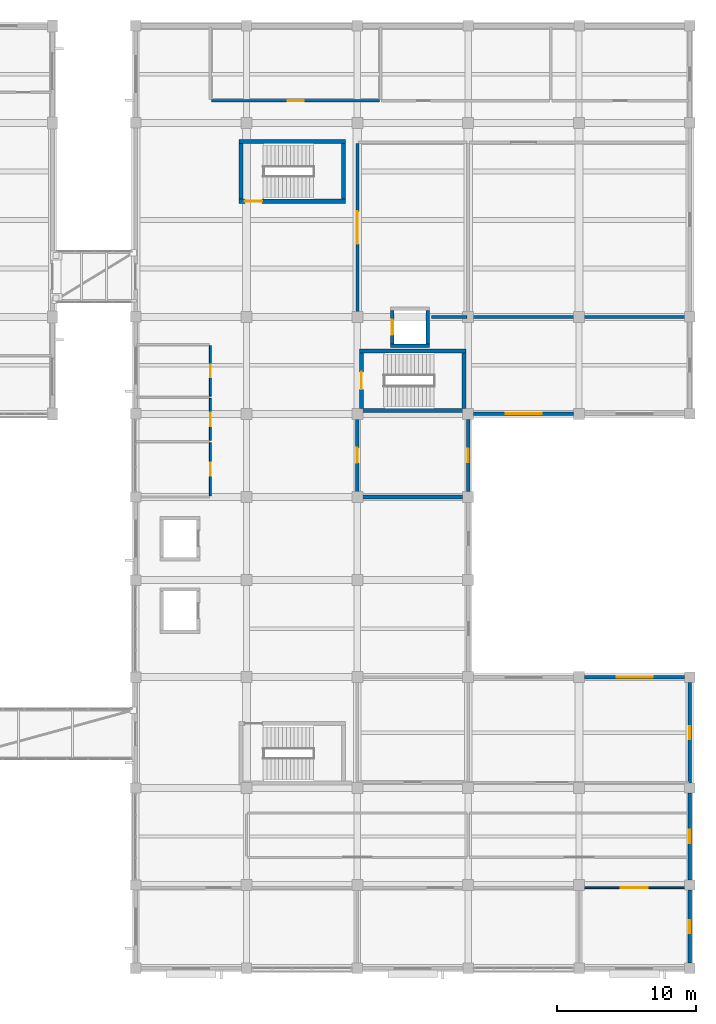
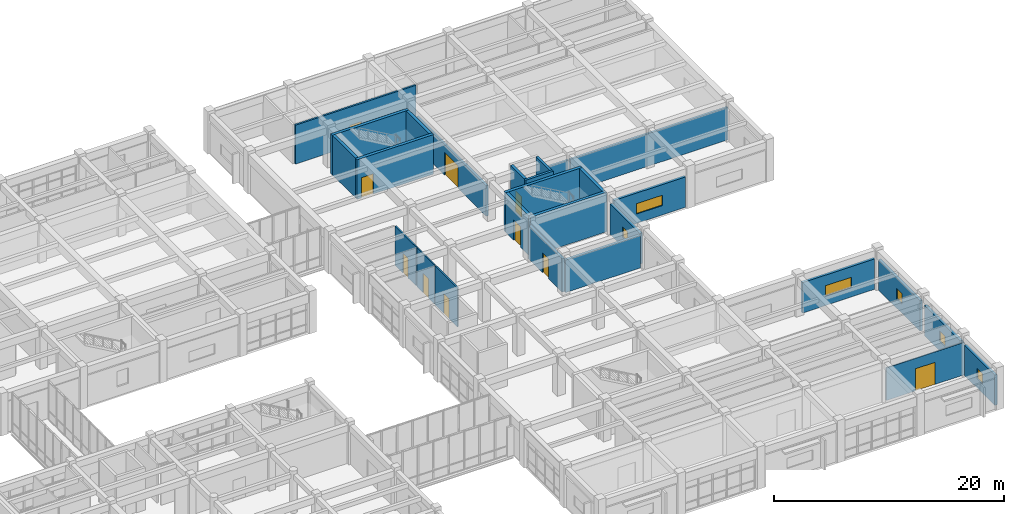
# One storey, part 55 of 70: 27 walls, 10 doors, 6 windows, 16 openings.
"""IFC4 building model written with IfcOpenShell, lengths in metres."""

from ifc_helpers import new_model, si_unit, direction, frame, frame_2d, origin, place, context, subcontext, project, spatial, rectangle, extrude, material, layer, layer_set, type_object, element, fill, save


model = new_model("IFC4")

# Units and contexts
model_context = context("Model", 3, precision=1e-05, world=origin(), true_north=direction((0.0, 1.0)))
body_context = subcontext(model_context, "Body", "Model", "MODEL_VIEW")
ifc_project = project(units=[si_unit("LENGTHUNIT", "METRE"), si_unit("AREAUNIT", "SQUARE_METRE"), si_unit("VOLUMEUNIT", "CUBIC_METRE"), si_unit("PLANEANGLEUNIT", "RADIAN"), si_unit("MASSUNIT", "GRAM", prefix="KILO")], contexts=[model_context])

# Site, building, storey
site_placement = place(None, origin())
site = spatial("IfcSite", under=ifc_project, at=site_placement, CompositionType="ELEMENT")
building_placement = place(site_placement, origin())
building = spatial("IfcBuilding", under=site, at=building_placement, Name="Naurynzar Civic Courthouse", CompositionType="ELEMENT")
storey_placement = place(building_placement, frame((0.0, 0.0, 5.39990234375)))
storey = spatial("IfcBuildingStorey", under=building, at=storey_placement, Name="L02", CompositionType="ELEMENT", Elevation=5.39990234375)

# Wall
ifc_material_1 = material(Name="Acoustic Double-Stud Gypsum Partition")
ifc_layer_1 = layer(ifc_material_1, 0.2099609375)
ifc_layer_set_1 = layer_set([ifc_layer_1], Name="WL-ACOUSTIC-210")
wall_type_1 = type_object("IfcWallType", Name="WL-ACOUSTIC-210", PredefinedType="PARTITIONING", material=ifc_layer_set_1)
wall_1_placement = place(storey_placement, frame((151.35009765625, 51.0, 0.0), z_axis=(0.0, 0.0, 1.0), x_axis=(1.0, 0.0, 0.0)))
element("IfcWall", 1, at=wall_1_placement, inside=storey, type_object=wall_type_1, Name="V5 interior partition L02.230", PredefinedType="PARTITIONING", context=body_context, shape_type="SweptSolid", body=[
    extrude(rectangle(XDim=2.56982421875, YDim=0.2099609375, at=frame_2d((1.284912109375, 0.0))), origin(), (0.0, 0.0, 1.0), 3.4501953125),
])

# Wall, opening, door
wall_2_placement = place(storey_placement, frame((146.0, 51.35009765625, 0.0), z_axis=(0.0, 0.0, 1.0), x_axis=(0.0, 1.0, 0.0)))
wall_2 = element("IfcWall", 2, at=wall_2_placement, inside=storey, type_object=wall_type_1, Name="V5 interior partition L02.299", PredefinedType="PARTITIONING", context=body_context, shape_type="SweptSolid", body=[
    extrude(rectangle(XDim=12.169921875, YDim=0.2099609375, at=frame_2d((6.0849609375, 0.0))), origin(), (0.0, 0.0, 1.0), 3.25),
])
opening_1_placement = place(wall_2_placement, frame((4.909912109375, 0.0, 0.0)))
opening_1 = element("IfcOpeningElement", 3, at=opening_1_placement, cuts=wall_2, Name="Opening D-297", PredefinedType="OPENING", context=body_context, shape_type="SweptSolid", body=[
    extrude(rectangle(XDim=2.35009765625, YDim=2.39990234375, at=frame_2d((1.175048828125, 1.199951171875))), frame((0.0, 0.114990234375, 0.0), z_axis=(0.0, -1.0, 0.0), x_axis=(1.0, 0.0, 0.0)), (0.0, 0.0, 1.0), 0.22998046875),
])
ifc_material_2 = material(Name="Acoustic Oak Timber Grade A", Category="wood")
door_type_1 = type_object("IfcDoorType", Name="DR-SUITE-2350x2400", OperationType="DOUBLE_DOOR_SINGLE_SWING", PredefinedType="DOOR", material=ifc_material_2)
door_1_placement = place(opening_1_placement, origin())
door_1 = element("IfcDoor", 4, at=door_1_placement, inside=storey, type_object=door_type_1, Name="Interior door D-297 (Criminal Trial Courtroom L02-N1)", OperationType="DOUBLE_DOOR_SINGLE_SWING", OverallHeight=2.39990234375, OverallWidth=2.35009765625, PredefinedType="DOOR", context=body_context, shape_type="SweptSolid", body=[
    extrude(rectangle(XDim=2.35009765625, YDim=2.39990234375, at=frame_2d((1.175048828125, 1.199951171875))), frame((0.0, 0.02490234375, 0.0), z_axis=(0.0, -1.0, 0.0), x_axis=(1.0, 0.0, 0.0)), (0.0, 0.0, 1.0), 0.050048828125),
])
fill(opening_1, door_1)

# Walls
ifc_material_3 = material(Name="Acoustic Double-Stud Gypsum Partition")
ifc_layer_2 = layer(ifc_material_3, 0.215087890625)
ifc_layer_set_2 = layer_set([ifc_layer_2], Name="WL-ACOUSTIC-215")
wall_type_2 = type_object("IfcWallType", Name="WL-ACOUSTIC-215", PredefinedType="PARTITIONING", material=ifc_layer_set_2)
wall_3_placement = place(storey_placement, frame((154.080078125, 51.0, 0.0), z_axis=(0.0, 0.0, 1.0), x_axis=(1.0, 0.0, 0.0)))
element("IfcWall", 5, at=wall_3_placement, inside=storey, type_object=wall_type_2, Name="V5 interior partition L02.231", PredefinedType="PARTITIONING", context=body_context, shape_type="SweptSolid", body=[
    extrude(rectangle(XDim=15.83984375, YDim=0.215087890625, at=frame_2d((7.919921875, 0.0))), origin(), (0.0, 0.0, 1.0), 3.4501953125),
])
ifc_material_4 = material(Name="Concrete C40/50", Category="concrete")
ifc_layer_3 = layer(ifc_material_4, 0.300048828125)
ifc_layer_set_3 = layer_set([ifc_layer_3], Name="WL-CORE-300")
wall_type_3 = type_object("IfcWallType", Name="WL-CORE-300", PredefinedType="SHEAR", material=ifc_layer_set_3)
wall_4_placement = place(storey_placement, frame((145.14990234375, 63.64990234375, 0.0), z_axis=(0.0, 0.0, 1.0), x_axis=(-1.0, 0.0, 0.0)))
element("IfcWall", 6, at=wall_4_placement, inside=storey, type_object=wall_type_3, Name="Stair ST-V5B enclosure wall north L02", PredefinedType="SHEAR", context=body_context, shape_type="SweptSolid", body=[
    extrude(rectangle(XDim=7.699951171875, YDim=0.300048828125, at=frame_2d((3.85009765625, 0.0))), origin(), (0.0, 0.0, 1.0), 4.2001953125),
])

# Wall, opening, door
wall_5_placement = place(storey_placement, frame((137.449951171875, 59.35009765625, 0.0), z_axis=(0.0, 0.0, 1.0), x_axis=(1.0, 0.0, 0.0)))
wall_5 = element("IfcWall", 7, at=wall_5_placement, inside=storey, type_object=wall_type_3, Name="Stair ST-V5B enclosure wall south L02", PredefinedType="SHEAR", context=body_context, shape_type="SweptSolid", body=[
    extrude(rectangle(XDim=7.699951171875, YDim=0.300048828125, at=frame_2d((3.85009765625, 0.0))), origin(), (0.0, 0.0, 1.0), 4.2001953125),
])
opening_2_placement = place(wall_5_placement, frame((0.425048828125, 0.0, 0.0)))
opening_2 = element("IfcOpeningElement", 8, at=opening_2_placement, cuts=wall_5, Name="Opening SD-070", PredefinedType="OPENING", context=body_context, shape_type="SweptSolid", body=[
    extrude(rectangle(XDim=1.25, YDim=2.14990234375, at=frame_2d((0.625, 1.074951171875))), frame((0.0, 0.159912109375, 0.0), z_axis=(0.0, -1.0, 0.0), x_axis=(1.0, 0.0, 0.0)), (0.0, 0.0, 1.0), 0.320068359375),
])
ifc_material_5 = material(Name="Powder-Coated Galvanised Steel", Category="steel")
door_type_2 = type_object("IfcDoorType", Name="DR-STAIR-1250x2150", OperationType="NOTDEFINED", PredefinedType="DOOR", material=ifc_material_5)
door_2_placement = place(opening_2_placement, origin())
door_2 = element("IfcDoor", 9, at=door_2_placement, inside=storey, type_object=door_type_2, Name="Stair ST-V5B fire door L02", OperationType="SINGLE_SWING_RIGHT", OverallHeight=2.14990234375, OverallWidth=1.25, PredefinedType="DOOR", context=body_context, shape_type="SweptSolid", body=[
    extrude(rectangle(XDim=1.25, YDim=2.14990234375, at=frame_2d((0.625, 1.074951171875))), frame((0.0, 0.02490234375, 0.0), z_axis=(0.0, -1.0, 0.0), x_axis=(1.0, 0.0, 0.0)), (0.0, 0.0, 1.0), 0.050048828125),
])
fill(opening_2, door_2)

# Walls
for number, where, z_axis, x_axis, name in (
    (10, (137.60009765625, 63.4951171875, 0.0), (0.0, 0.0, 1.0), (0.0, -1.0, 0.0), "Stair ST-V5B enclosure wall west L02"),
    (11, (145.0, 59.5048828125, 0.0), (0.0, 0.0, 1.0), (0.0, 1.0, 0.0), "Stair ST-V5B enclosure wall east L02"),
):
    element("IfcWall", number, at=place(storey_placement, frame(where, z_axis=z_axis, x_axis=x_axis)), inside=storey, type_object=wall_type_3, Name=name, PredefinedType="SHEAR", context=body_context, shape_type="SweptSolid", body=[
        extrude(rectangle(XDim=3.990234375, YDim=0.300048828125, at=frame_2d((1.9951171875, 0.0))), origin(), (0.0, 0.0, 1.0), 4.2001953125),
    ])
for number, where, z_axis, x_axis, name in (
    (12, (153.85009765625, 48.550048828125, 0.0), (0.0, 0.0, 1.0), (-1.0, 0.0, 0.0), "Stair ST-CUS enclosure wall north L02"),
    (13, (146.14990234375, 44.25, 0.0), (0.0, 0.0, 1.0), (1.0, 0.0, 0.0), "Stair ST-CUS enclosure wall south L02"),
):
    element("IfcWall", number, at=place(storey_placement, frame(where, z_axis=z_axis, x_axis=x_axis)), inside=storey, type_object=wall_type_3, Name=name, PredefinedType="SHEAR", context=body_context, shape_type="SweptSolid", body=[
        extrude(rectangle(XDim=7.7001953125, YDim=0.300048828125, at=frame_2d((3.85009765625, 0.0))), origin(), (0.0, 0.0, 1.0), 4.2001953125),
    ])

# Wall, opening, door
wall_6_placement = place(storey_placement, frame((146.300048828125, 48.39501953125, 0.0), z_axis=(0.0, 0.0, 1.0), x_axis=(0.0, -1.0, 0.0)))
wall_6 = element("IfcWall", 14, at=wall_6_placement, inside=storey, type_object=wall_type_3, Name="Stair ST-CUS enclosure wall west L02", PredefinedType="SHEAR", context=body_context, shape_type="SweptSolid", body=[
    extrude(rectangle(XDim=3.989990234375, YDim=0.300048828125, at=frame_2d((1.9951171875, 0.0))), origin(), (0.0, 0.0, 1.0), 4.2001953125),
])
opening_3_placement = place(wall_6_placement, frame((1.3701171875, 0.0, 0.0)))
opening_3 = element("IfcOpeningElement", 15, at=opening_3_placement, cuts=wall_6, Name="Opening SD-079", PredefinedType="OPENING", context=body_context, shape_type="SweptSolid", body=[
    extrude(rectangle(XDim=1.25, YDim=2.14990234375, at=frame_2d((0.625, 1.074951171875))), frame((0.0, 0.159912109375, 0.0), z_axis=(0.0, -1.0, 0.0), x_axis=(1.0, 0.0, 0.0)), (0.0, 0.0, 1.0), 0.320068359375),
])
door_3_placement = place(opening_3_placement, origin())
door_3 = element("IfcDoor", 16, at=door_3_placement, inside=storey, type_object=door_type_2, Name="Stair ST-CUS fire door L02", OperationType="SINGLE_SWING_LEFT", OverallHeight=2.14990234375, OverallWidth=1.25, PredefinedType="DOOR", context=body_context, shape_type="SweptSolid", body=[
    extrude(rectangle(XDim=1.25, YDim=2.14990234375, at=frame_2d((0.625, 1.074951171875))), frame((0.0, 0.02490234375, 0.0), z_axis=(0.0, -1.0, 0.0), x_axis=(1.0, 0.0, 0.0)), (0.0, 0.0, 1.0), 0.050048828125),
])
fill(opening_3, door_3)

# Walls
wall_7_placement = place(storey_placement, frame((153.699951171875, 44.405029296875, 0.0), z_axis=(0.0, 0.0, 1.0), x_axis=(0.0, 1.0, 0.0)))
element("IfcWall", 17, at=wall_7_placement, inside=storey, type_object=wall_type_3, Name="Stair ST-CUS enclosure wall east L02", PredefinedType="SHEAR", context=body_context, shape_type="SweptSolid", body=[
    extrude(rectangle(XDim=3.989990234375, YDim=0.300048828125, at=frame_2d((1.9951171875, 0.0))), origin(), (0.0, 0.0, 1.0), 4.2001953125),
])
ifc_material_6 = material(Name="Concrete C40/50", Category="concrete")
ifc_layer_4 = layer(ifc_material_6, 0.260009765625)
ifc_layer_set_4 = layer_set([ifc_layer_4], Name="WL-CUS-260")
wall_type_4 = type_object("IfcWallType", Name="WL-CUS-260", PredefinedType="SOLIDWALL", material=ifc_layer_set_4)
wall_8_placement = place(storey_placement, frame((146.080078125, 38.0, 0.0), z_axis=(0.0, 0.0, 1.0), x_axis=(1.0, 0.0, 0.0)))
element("IfcWall", 18, at=wall_8_placement, inside=storey, type_object=wall_type_4, Name="V5 interior partition L02.211", PredefinedType="SOLIDWALL", context=body_context, shape_type="SweptSolid", body=[
    extrude(rectangle(XDim=7.52001953125, YDim=0.260009765625, at=frame_2d((3.760009765625, 0.0))), origin(), (0.0, 0.0, 1.0), 3.4501953125),
])

# Wall, opening, door
wall_9_placement = place(storey_placement, frame((146.0, 38.080078125, 0.0), z_axis=(0.0, 0.0, 1.0), x_axis=(0.0, 1.0, 0.0)))
wall_9 = element("IfcWall", 19, at=wall_9_placement, inside=storey, type_object=wall_type_4, Name="V5 interior partition L02.298", PredefinedType="SOLIDWALL", context=body_context, shape_type="SweptSolid", body=[
    extrude(rectangle(XDim=5.83984375, YDim=0.260009765625, at=frame_2d((2.919921875, 0.0))), origin(), (0.0, 0.0, 1.0), 3.550048828125),
])
opening_4_placement = place(wall_9_placement, frame((2.3798828125, 0.0, 0.0)))
opening_4 = element("IfcOpeningElement", 20, at=opening_4_placement, cuts=wall_9, Name="Opening D-296", PredefinedType="OPENING", context=body_context, shape_type="SweptSolid", body=[
    extrude(rectangle(XDim=1.080078125, YDim=2.10009765625, at=frame_2d((0.5400390625, 1.050048828125))), frame((0.0, 0.139892578125, 0.0), z_axis=(0.0, -1.0, 0.0), x_axis=(1.0, 0.0, 0.0)), (0.0, 0.0, 1.0), 0.280029296875),
])
ifc_material_7 = material(Name="Powder-Coated Galvanised Steel", Category="steel")
door_type_3 = type_object("IfcDoorType", Name="DR-CUS-CELL-1080x2100", OperationType="NOTDEFINED", PredefinedType="DOOR", material=ifc_material_7)
door_4_placement = place(opening_4_placement, origin())
door_4 = element("IfcDoor", 21, at=door_4_placement, inside=storey, type_object=door_type_3, Name="Interior door D-296 (Custody Suite Courtroom Dock L02)", OperationType="SINGLE_SWING_RIGHT", OverallHeight=2.10009765625, OverallWidth=1.080078125, PredefinedType="DOOR", context=body_context, shape_type="SweptSolid", body=[
    extrude(rectangle(XDim=1.080078125, YDim=2.10009765625, at=frame_2d((0.5400390625, 1.050048828125))), frame((0.0, 0.02490234375, 0.0), z_axis=(0.0, -1.0, 0.0), x_axis=(1.0, 0.0, 0.0)), (0.0, 0.0, 1.0), 0.050048828125),
])
fill(opening_4, door_4)

# Wall, opening, window
ifc_material_8 = material(Name="Precast concrete C40/50", Category="concrete")
ifc_layer_5 = layer(ifc_material_8, 0.260009765625)
ifc_layer_set_5 = layer_set([ifc_layer_5], Name="WL-EXT-260")
wall_type_5 = type_object("IfcWallType", Name="WL-EXT-260", PredefinedType="SOLIDWALL", material=ifc_layer_set_5)
wall_10_placement = place(storey_placement, frame((161.60009765625, 44.0, 0.0), z_axis=(0.0, 0.0, 1.0), x_axis=(-1.0, 0.0, 0.0)))
wall_10 = element("IfcWall", 22, at=wall_10_placement, inside=storey, type_object=wall_type_5, Name="V5 exterior wall notch_n L02.2.1", PredefinedType="SOLIDWALL", context=body_context, shape_type="SweptSolid", body=[
    extrude(rectangle(XDim=7.2001953125, YDim=0.260009765625, at=frame_2d((3.60009765625, 0.0))), origin(), (0.0, 0.0, 1.0), 3.22998046875),
])
opening_5_placement = place(wall_10_placement, frame((2.300048828125, 0.0, 1.0)))
opening_5 = element("IfcOpeningElement", 23, at=opening_5_placement, cuts=wall_10, Name="Opening WN-17", PredefinedType="OPENING", context=body_context, shape_type="SweptSolid", body=[
    extrude(rectangle(XDim=2.60009765625, YDim=1.10009765625, at=frame_2d((1.300048828125, 0.550048828125))), frame((0.0, 0.139892578125, 0.0), z_axis=(0.0, -1.0, 0.0), x_axis=(1.0, 0.0, 0.0)), (0.0, 0.0, 1.0), 0.280029296875),
])
ifc_material_9 = material(Name="Tempered Laminated Low-E Glass", Category="glass")
window_type_1 = type_object("IfcWindowType", Name="WIN-CLER-2600x1100", PartitioningType="DOUBLE_PANEL_VERTICAL", PredefinedType="WINDOW", material=ifc_material_9)
window_1_placement = place(opening_5_placement, origin())
window_1 = element("IfcWindow", 24, at=window_1_placement, inside=storey, type_object=window_type_1, Name="V5 window 270 L02", OverallHeight=1.10009765625, OverallWidth=2.60009765625, PartitioningType="SINGLE_PANEL", PredefinedType="WINDOW", context=body_context, shape_type="SweptSolid", body=[
    extrude(rectangle(XDim=2.60009765625, YDim=1.10009765625, at=frame_2d((1.300048828125, 0.550048828125))), frame((0.0, 0.030029296875, 0.0), z_axis=(0.0, -1.0, 0.0), x_axis=(1.0, 0.0, 0.0)), (0.0, 0.0, 1.0), 0.06005859375),
])
fill(opening_5, window_1)

wall_11_placement = place(storey_placement, frame((154.0, 43.60009765625, 0.0), z_axis=(0.0, 0.0, 1.0), x_axis=(0.0, -1.0, 0.0)))
wall_11 = element("IfcWall", 25, at=wall_11_placement, inside=storey, type_object=wall_type_5, Name="V5 exterior wall notch_w L02.1.1", PredefinedType="SOLIDWALL", context=body_context, shape_type="SweptSolid", body=[
    extrude(rectangle(XDim=5.2001953125, YDim=0.260009765625, at=frame_2d((2.60009765625, 0.0))), origin(), (0.0, 0.0, 1.0), 3.22998046875),
])
opening_6_placement = place(wall_11_placement, frame((2.125, 0.0, 1.0)))
opening_6 = element("IfcOpeningElement", 26, at=opening_6_placement, cuts=wall_11, Name="Opening WN-16", PredefinedType="OPENING", context=body_context, shape_type="SweptSolid", body=[
    extrude(rectangle(XDim=0.949951171875, YDim=1.10009765625, at=frame_2d((0.47509765625, 0.550048828125))), frame((0.0, 0.139892578125, 0.0), z_axis=(0.0, -1.0, 0.0), x_axis=(1.0, 0.0, 0.0)), (0.0, 0.0, 1.0), 0.280029296875),
])
ifc_material_10 = material(Name="Tempered Laminated Low-E Glass", Category="glass")
window_type_2 = type_object("IfcWindowType", Name="WIN-SEC-950x1100", PartitioningType="SINGLE_PANEL", PredefinedType="WINDOW", material=ifc_material_10)
window_2_placement = place(opening_6_placement, origin())
window_2 = element("IfcWindow", 27, at=window_2_placement, inside=storey, type_object=window_type_2, Name="V5 window 271 L02", OverallHeight=1.10009765625, OverallWidth=0.949951171875, PartitioningType="SINGLE_PANEL", PredefinedType="WINDOW", context=body_context, shape_type="SweptSolid", body=[
    extrude(rectangle(XDim=0.949951171875, YDim=1.10009765625, at=frame_2d((0.47509765625, 0.550048828125))), frame((0.0, 0.030029296875, 0.0), z_axis=(0.0, -1.0, 0.0), x_axis=(1.0, 0.0, 0.0)), (0.0, 0.0, 1.0), 0.06005859375),
])
fill(opening_6, window_2)

wall_12_placement = place(storey_placement, frame((162.39990234375, 25.0, 0.0), z_axis=(0.0, 0.0, 1.0), x_axis=(1.0, 0.0, 0.0)))
wall_12 = element("IfcWall", 28, at=wall_12_placement, inside=storey, type_object=wall_type_5, Name="V5 exterior wall notch_s L02.2.1", PredefinedType="SOLIDWALL", context=body_context, shape_type="SweptSolid", body=[
    extrude(rectangle(XDim=7.22509765625, YDim=0.260009765625, at=frame_2d((3.612548828125, 0.0))), origin(), (0.0, 0.0, 1.0), 3.22998046875),
])
opening_7_placement = place(wall_12_placement, frame((2.3125, 0.0, 1.0)))
opening_7 = element("IfcOpeningElement", 29, at=opening_7_placement, cuts=wall_12, Name="Opening WN-17", PredefinedType="OPENING", context=body_context, shape_type="SweptSolid", body=[
    extrude(rectangle(XDim=2.60009765625, YDim=1.10009765625, at=frame_2d((1.300048828125, 0.550048828125))), frame((0.0, 0.139892578125, 0.0), z_axis=(0.0, -1.0, 0.0), x_axis=(1.0, 0.0, 0.0)), (0.0, 0.0, 1.0), 0.280029296875),
])
window_3_placement = place(opening_7_placement, origin())
window_3 = element("IfcWindow", 30, at=window_3_placement, inside=storey, type_object=window_type_1, Name="V5 window 275 L02", OverallHeight=1.10009765625, OverallWidth=2.60009765625, PartitioningType="SINGLE_PANEL", PredefinedType="WINDOW", context=body_context, shape_type="SweptSolid", body=[
    extrude(rectangle(XDim=2.60009765625, YDim=1.10009765625, at=frame_2d((1.300048828125, 0.550048828125))), frame((0.0, 0.030029296875, 0.0), z_axis=(0.0, -1.0, 0.0), x_axis=(1.0, 0.0, 0.0)), (0.0, 0.0, 1.0), 0.06005859375),
])
fill(opening_7, window_3)

wall_13_placement = place(storey_placement, frame((170.0, 24.625, 0.0), z_axis=(0.0, 0.0, 1.0), x_axis=(0.0, -1.0, 0.0)))
wall_13 = element("IfcWall", 31, at=wall_13_placement, inside=storey, type_object=wall_type_5, Name="V5 exterior wall east_south L02.1.1", PredefinedType="SOLIDWALL", context=body_context, shape_type="SweptSolid", body=[
    extrude(rectangle(XDim=7.25, YDim=0.260009765625, at=frame_2d((3.625, 0.0))), origin(), (0.0, 0.0, 1.0), 3.22998046875),
])
opening_8_placement = place(wall_13_placement, frame((3.14990234375, 0.0, 1.0)))
opening_8 = element("IfcOpeningElement", 32, at=opening_8_placement, cuts=wall_13, Name="Opening WN-16", PredefinedType="OPENING", context=body_context, shape_type="SweptSolid", body=[
    extrude(rectangle(XDim=0.949951171875, YDim=1.10009765625, at=frame_2d((0.47509765625, 0.550048828125))), frame((0.0, 0.139892578125, 0.0), z_axis=(0.0, -1.0, 0.0), x_axis=(1.0, 0.0, 0.0)), (0.0, 0.0, 1.0), 0.280029296875),
])
window_4_placement = place(opening_8_placement, origin())
window_4 = element("IfcWindow", 33, at=window_4_placement, inside=storey, type_object=window_type_2, Name="V5 window 276 L02", OverallHeight=1.10009765625, OverallWidth=0.949951171875, PartitioningType="SINGLE_PANEL", PredefinedType="WINDOW", context=body_context, shape_type="SweptSolid", body=[
    extrude(rectangle(XDim=0.949951171875, YDim=1.10009765625, at=frame_2d((0.47509765625, 0.550048828125))), frame((0.0, 0.030029296875, 0.0), z_axis=(0.0, -1.0, 0.0), x_axis=(1.0, 0.0, 0.0)), (0.0, 0.0, 1.0), 0.06005859375),
])
fill(opening_8, window_4)

wall_14_placement = place(storey_placement, frame((170.0, 16.625, 0.0), z_axis=(0.0, 0.0, 1.0), x_axis=(0.0, -1.0, 0.0)))
wall_14 = element("IfcWall", 34, at=wall_14_placement, inside=storey, type_object=wall_type_5, Name="V5 exterior wall east_south L02.2.1", PredefinedType="SOLIDWALL", context=body_context, shape_type="SweptSolid", body=[
    extrude(rectangle(XDim=6.25, YDim=0.260009765625, at=frame_2d((3.125, 0.0))), origin(), (0.0, 0.0, 1.0), 3.22998046875),
])
opening_9_placement = place(wall_14_placement, frame((2.64990234375, 0.0, 1.0)))
opening_9 = element("IfcOpeningElement", 35, at=opening_9_placement, cuts=wall_14, Name="Opening WN-16", PredefinedType="OPENING", context=body_context, shape_type="SweptSolid", body=[
    extrude(rectangle(XDim=0.949951171875, YDim=1.10009765625, at=frame_2d((0.47509765625, 0.550048828125))), frame((0.0, 0.139892578125, 0.0), z_axis=(0.0, -1.0, 0.0), x_axis=(1.0, 0.0, 0.0)), (0.0, 0.0, 1.0), 0.280029296875),
])
window_5_placement = place(opening_9_placement, origin())
window_5 = element("IfcWindow", 36, at=window_5_placement, inside=storey, type_object=window_type_2, Name="V5 window 277 L02", OverallHeight=1.10009765625, OverallWidth=0.949951171875, PartitioningType="SINGLE_PANEL", PredefinedType="WINDOW", context=body_context, shape_type="SweptSolid", body=[
    extrude(rectangle(XDim=0.949951171875, YDim=1.10009765625, at=frame_2d((0.47509765625, 0.550048828125))), frame((0.0, 0.030029296875, 0.0), z_axis=(0.0, -1.0, 0.0), x_axis=(1.0, 0.0, 0.0)), (0.0, 0.0, 1.0), 0.06005859375),
])
fill(opening_9, window_5)

wall_15_placement = place(storey_placement, frame((170.0, 9.625, 0.0), z_axis=(0.0, 0.0, 1.0), x_axis=(0.0, -1.0, 0.0)))
wall_15 = element("IfcWall", 37, at=wall_15_placement, inside=storey, type_object=wall_type_5, Name="V5 exterior wall east_south L02.3.1", PredefinedType="SOLIDWALL", context=body_context, shape_type="SweptSolid", body=[
    extrude(rectangle(XDim=5.25, YDim=0.260009765625, at=frame_2d((2.625, 0.0))), origin(), (0.0, 0.0, 1.0), 3.22998046875),
])
opening_10_placement = place(wall_15_placement, frame((2.14990234375, 0.0, 1.0)))
opening_10 = element("IfcOpeningElement", 38, at=opening_10_placement, cuts=wall_15, Name="Opening WN-16", PredefinedType="OPENING", context=body_context, shape_type="SweptSolid", body=[
    extrude(rectangle(XDim=0.949951171875, YDim=1.10009765625, at=frame_2d((0.47509765625, 0.550048828125))), frame((0.0, 0.139892578125, 0.0), z_axis=(0.0, -1.0, 0.0), x_axis=(1.0, 0.0, 0.0)), (0.0, 0.0, 1.0), 0.280029296875),
])
window_6_placement = place(opening_10_placement, origin())
window_6 = element("IfcWindow", 39, at=window_6_placement, inside=storey, type_object=window_type_2, Name="V5 window 278 L02", OverallHeight=1.10009765625, OverallWidth=0.949951171875, PartitioningType="SINGLE_PANEL", PredefinedType="WINDOW", context=body_context, shape_type="SweptSolid", body=[
    extrude(rectangle(XDim=0.949951171875, YDim=1.10009765625, at=frame_2d((0.47509765625, 0.550048828125))), frame((0.0, 0.030029296875, 0.0), z_axis=(0.0, -1.0, 0.0), x_axis=(1.0, 0.0, 0.0)), (0.0, 0.0, 1.0), 0.06005859375),
])
fill(opening_10, window_6)

# Wall, opening, door
ifc_material_11 = material(Name="Acoustic Double-Stud Gypsum Partition")
ifc_layer_6 = layer(ifc_material_11, 0.179931640625)
ifc_layer_set_6 = layer_set([ifc_layer_6], Name="WL-PART-JURY-180")
wall_type_6 = type_object("IfcWallType", Name="WL-PART-JURY-180", PredefinedType="PARTITIONING", material=ifc_layer_set_6)
wall_16_placement = place(storey_placement, frame((135.47998046875, 66.60009765625, 0.0), z_axis=(0.0, 0.0, 1.0), x_axis=(1.0, 0.0, 0.0)))
wall_16 = element("IfcWall", 40, at=wall_16_placement, inside=storey, type_object=wall_type_6, Name="V5 interior partition L02.241", PredefinedType="PARTITIONING", context=body_context, shape_type="SweptSolid", body=[
    extrude(rectangle(XDim=12.1201171875, YDim=0.179931640625, at=frame_2d((6.06005859375, 0.0))), origin(), (0.0, 0.0, 1.0), 4.14013671875),
])
opening_11_placement = place(wall_16_placement, frame((5.485107421875, 0.0, 0.0)))
opening_11 = element("IfcOpeningElement", 41, at=opening_11_placement, cuts=wall_16, Name="Opening D-299", PredefinedType="OPENING", context=body_context, shape_type="SweptSolid", body=[
    extrude(rectangle(XDim=1.14990234375, YDim=2.199951171875, at=frame_2d((0.574951171875, 1.10009765625))), frame((0.0, 0.099853515625, 0.0), z_axis=(0.0, -1.0, 0.0), x_axis=(1.0, 0.0, 0.0)), (0.0, 0.0, 1.0), 0.199951171875),
])
ifc_material_12 = material(Name="Acoustic Oak Timber Grade A", Category="wood")
door_type_4 = type_object("IfcDoorType", Name="DR-JURY-1150x2200", OperationType="NOTDEFINED", PredefinedType="DOOR", material=ifc_material_12)
door_5_placement = place(opening_11_placement, origin())
door_5 = element("IfcDoor", 42, at=door_5_placement, inside=storey, type_object=door_type_4, Name="Interior door D-299 (Jury Room L02-N)", OperationType="SINGLE_SWING_LEFT", OverallHeight=2.199951171875, OverallWidth=1.14990234375, PredefinedType="DOOR", context=body_context, shape_type="SweptSolid", body=[
    extrude(rectangle(XDim=1.14990234375, YDim=2.199951171875, at=frame_2d((0.574951171875, 1.10009765625))), frame((0.0, 0.02490234375, 0.0), z_axis=(0.0, -1.0, 0.0), x_axis=(1.0, 0.0, 0.0)), (0.0, 0.0, 1.0), 0.050048828125),
])
fill(opening_11, door_5)

ifc_material_13 = material(Name="Metal-Stud Gypsum Partition")
ifc_layer_7 = layer(ifc_material_13, 0.125)
ifc_layer_set_7 = layer_set([ifc_layer_7], Name="WL-PART-STD-125")
wall_type_7 = type_object("IfcWallType", Name="WL-PART-STD-125", PredefinedType="PARTITIONING", material=ifc_layer_set_7)
wall_17_placement = place(storey_placement, frame((162.080078125, 9.800048828125, 0.0), z_axis=(0.0, 0.0, 1.0), x_axis=(1.0, 0.0, 0.0)))
wall_17 = element("IfcWall", 43, at=wall_17_placement, inside=storey, type_object=wall_type_7, Name="V5 interior partition L02.187", PredefinedType="PARTITIONING", context=body_context, shape_type="SweptSolid", body=[
    extrude(rectangle(XDim=7.83984375, YDim=0.125, at=frame_2d((3.919921875, 0.0))), origin(), (0.0, 0.0, 1.0), 3.4501953125),
])
opening_12_placement = place(wall_17_placement, frame((2.945068359375, 0.0, 0.0)))
opening_12 = element("IfcOpeningElement", 44, at=opening_12_placement, cuts=wall_17, Name="Opening D-291", PredefinedType="OPENING", context=body_context, shape_type="SweptSolid", body=[
    extrude(rectangle(XDim=1.949951171875, YDim=2.35009765625, at=frame_2d((0.97509765625, 1.175048828125))), frame((0.0, 0.072509765625, 0.0), z_axis=(0.0, -1.0, 0.0), x_axis=(1.0, 0.0, 0.0)), (0.0, 0.0, 1.0), 0.14501953125),
])
ifc_material_14 = material(Name="Acoustic Oak Timber Grade A", Category="wood")
door_type_5 = type_object("IfcDoorType", Name="DR-SUITE-1950x2350", OperationType="DOUBLE_DOOR_SINGLE_SWING", PredefinedType="DOOR", material=ifc_material_14)
door_6_placement = place(opening_12_placement, origin())
door_6 = element("IfcDoor", 45, at=door_6_placement, inside=storey, type_object=door_type_5, Name="Interior door D-291 (Counsel Consultation Room L02-SE)", OperationType="DOUBLE_DOOR_SINGLE_SWING", OverallHeight=2.35009765625, OverallWidth=1.949951171875, PredefinedType="DOOR", context=body_context, shape_type="SweptSolid", body=[
    extrude(rectangle(XDim=1.949951171875, YDim=2.35009765625, at=frame_2d((0.97509765625, 1.175048828125))), frame((0.0, 0.02490234375, 0.0), z_axis=(0.0, -1.0, 0.0), x_axis=(1.0, 0.0, 0.0)), (0.0, 0.0, 1.0), 0.050048828125),
])
fill(opening_12, door_6)

ifc_material_15 = material(Name="Moisture-Resistant Plumbing Partition")
ifc_layer_8 = layer(ifc_material_15, 0.139892578125)
ifc_layer_set_8 = layer_set([ifc_layer_8], Name="WL-PART-WC-140")
wall_type_8 = type_object("IfcWallType", Name="WL-PART-WC-140", PredefinedType="PLUMBINGWALL", material=ifc_layer_set_8)
wall_18_placement = place(storey_placement, frame((135.39990234375, 38.080078125, 0.0), z_axis=(0.0, 0.0, 1.0), x_axis=(0.0, 1.0, 0.0)))
wall_18 = element("IfcWall", 46, at=wall_18_placement, inside=storey, type_object=wall_type_8, Name="V5 interior partition L02.291", PredefinedType="PLUMBINGWALL", context=body_context, shape_type="SweptSolid", body=[
    extrude(rectangle(XDim=3.83984375, YDim=0.139892578125, at=frame_2d((1.919921875, 0.0))), origin(), (0.0, 0.0, 1.0), 4.14013671875),
])
opening_13_placement = place(wall_18_placement, frame((1.4599609375, 0.0, 0.0)))
opening_13 = element("IfcOpeningElement", 47, at=opening_13_placement, cuts=wall_18, Name="Opening D-286", PredefinedType="OPENING", context=body_context, shape_type="SweptSolid", body=[
    extrude(rectangle(XDim=0.919921875, YDim=2.10009765625, at=frame_2d((0.4599609375, 1.050048828125))), frame((0.0, 0.079833984375, 0.0), z_axis=(0.0, -1.0, 0.0), x_axis=(1.0, 0.0, 0.0)), (0.0, 0.0, 1.0), 0.159912109375),
])
ifc_material_16 = material(Name="Acoustic Oak Timber Grade A", Category="wood")
door_type_6 = type_object("IfcDoorType", Name="DR-WC-STD-920x2100", OperationType="NOTDEFINED", PredefinedType="DOOR", material=ifc_material_16)
door_7_placement = place(opening_13_placement, origin())
door_7 = element("IfcDoor", 48, at=door_7_placement, inside=storey, type_object=door_type_6, Name="Interior door D-286 (Public WC V5)", OperationType="SINGLE_SWING_RIGHT", OverallHeight=2.10009765625, OverallWidth=0.919921875, PredefinedType="DOOR", context=body_context, shape_type="SweptSolid", body=[
    extrude(rectangle(XDim=0.919921875, YDim=2.10009765625, at=frame_2d((0.4599609375, 1.050048828125))), frame((0.0, 0.02490234375, 0.0), z_axis=(0.0, -1.0, 0.0), x_axis=(1.0, 0.0, 0.0)), (0.0, 0.0, 1.0), 0.050048828125),
])
fill(opening_13, door_7)

wall_19_placement = place(storey_placement, frame((135.39990234375, 42.080078125, 0.0), z_axis=(0.0, 0.0, 1.0), x_axis=(0.0, 1.0, 0.0)))
wall_19 = element("IfcWall", 49, at=wall_19_placement, inside=storey, type_object=wall_type_8, Name="V5 interior partition L02.292", PredefinedType="PLUMBINGWALL", context=body_context, shape_type="SweptSolid", body=[
    extrude(rectangle(XDim=3.0400390625, YDim=0.139892578125, at=frame_2d((1.52001953125, 0.0))), origin(), (0.0, 0.0, 1.0), 4.14013671875),
])
opening_14_placement = place(wall_19_placement, frame((1.0400390625, 0.0, 0.0)))
opening_14 = element("IfcOpeningElement", 50, at=opening_14_placement, cuts=wall_19, Name="Opening D-287", PredefinedType="OPENING", context=body_context, shape_type="SweptSolid", body=[
    extrude(rectangle(XDim=0.9599609375, YDim=2.10009765625, at=frame_2d((0.47998046875, 1.050048828125))), frame((0.0, 0.079833984375, 0.0), z_axis=(0.0, -1.0, 0.0), x_axis=(1.0, 0.0, 0.0)), (0.0, 0.0, 1.0), 0.159912109375),
])
ifc_material_17 = material(Name="Acoustic Oak Timber Grade A", Category="wood")
door_type_7 = type_object("IfcDoorType", Name="DR-WC-ACC-960x2100", OperationType="NOTDEFINED", PredefinedType="DOOR", material=ifc_material_17)
door_8_placement = place(opening_14_placement, origin())
door_8 = element("IfcDoor", 51, at=door_8_placement, inside=storey, type_object=door_type_7, Name="Interior door D-287 (Accessible WC V5)", OperationType="SINGLE_SWING_LEFT", OverallHeight=2.10009765625, OverallWidth=0.9599609375, PredefinedType="DOOR", context=body_context, shape_type="SweptSolid", body=[
    extrude(rectangle(XDim=0.9599609375, YDim=2.10009765625, at=frame_2d((0.47998046875, 1.050048828125))), frame((0.0, 0.02490234375, 0.0), z_axis=(0.0, -1.0, 0.0), x_axis=(1.0, 0.0, 0.0)), (0.0, 0.0, 1.0), 0.050048828125),
])
fill(opening_14, door_8)

wall_20_placement = place(storey_placement, frame((135.39990234375, 45.280029296875, 0.0), z_axis=(0.0, 0.0, 1.0), x_axis=(0.0, 1.0, 0.0)))
wall_20 = element("IfcWall", 52, at=wall_20_placement, inside=storey, type_object=wall_type_8, Name="V5 interior partition L02.293", PredefinedType="PLUMBINGWALL", context=body_context, shape_type="SweptSolid", body=[
    extrude(rectangle(XDim=3.639892578125, YDim=0.139892578125, at=frame_2d((1.81982421875, 0.0))), origin(), (0.0, 0.0, 1.0), 4.14013671875),
])
opening_15_placement = place(wall_20_placement, frame((1.360107421875, 0.0, 0.0)))
opening_15 = element("IfcOpeningElement", 53, at=opening_15_placement, cuts=wall_20, Name="Opening D-288", PredefinedType="OPENING", context=body_context, shape_type="SweptSolid", body=[
    extrude(rectangle(XDim=0.919921875, YDim=2.10009765625, at=frame_2d((0.4599609375, 1.050048828125))), frame((0.0, 0.079833984375, 0.0), z_axis=(0.0, -1.0, 0.0), x_axis=(1.0, 0.0, 0.0)), (0.0, 0.0, 1.0), 0.159912109375),
])
door_9_placement = place(opening_15_placement, origin())
door_9 = element("IfcDoor", 54, at=door_9_placement, inside=storey, type_object=door_type_6, Name="Interior door D-288 (Staff WC V5)", OperationType="SINGLE_SWING_RIGHT", OverallHeight=2.10009765625, OverallWidth=0.919921875, PredefinedType="DOOR", context=body_context, shape_type="SweptSolid", body=[
    extrude(rectangle(XDim=0.919921875, YDim=2.10009765625, at=frame_2d((0.4599609375, 1.050048828125))), frame((0.0, 0.02490234375, 0.0), z_axis=(0.0, -1.0, 0.0), x_axis=(1.0, 0.0, 0.0)), (0.0, 0.0, 1.0), 0.050048828125),
])
fill(opening_15, door_9)

# Wall
ifc_material_18 = material(Name="Concrete C40/50", Category="concrete")
ifc_layer_9 = layer(ifc_material_18, 0.25)
ifc_layer_set_9 = layer_set([ifc_layer_9], Name="WL-SHAFT-250")
wall_type_9 = type_object("IfcWallType", Name="WL-SHAFT-250", PredefinedType="SHEAR", material=ifc_layer_set_9)
wall_21_placement = place(storey_placement, frame((148.39990234375, 48.925048828125, 0.0), z_axis=(0.0, 0.0, 1.0), x_axis=(1.0, 0.0, 0.0)))
element("IfcWall", 55, at=wall_21_placement, inside=storey, type_object=wall_type_9, Name="Lift LF-CUS shaft wall south L02", PredefinedType="SHEAR", context=body_context, shape_type="SweptSolid", body=[
    extrude(rectangle(XDim=2.800048828125, YDim=0.25, at=frame_2d((1.39990234375, 0.0))), origin(), (0.0, 0.0, 1.0), 4.5),
])

# Wall, opening, door
wall_22_placement = place(storey_placement, frame((148.52490234375, 51.445068359375, 0.0), z_axis=(0.0, 0.0, 1.0), x_axis=(0.0, -1.0, 0.0)))
wall_22 = element("IfcWall", 56, at=wall_22_placement, inside=storey, type_object=wall_type_9, Name="Lift LF-CUS shaft wall west L02", PredefinedType="SHEAR", context=body_context, shape_type="SweptSolid", body=[
    extrude(rectangle(XDim=2.39013671875, YDim=0.25, at=frame_2d((1.195068359375, 0.0))), origin(), (0.0, 0.0, 1.0), 4.5),
])
opening_16_placement = place(wall_22_placement, frame((0.64501953125, 0.0, 0.0)))
opening_16 = element("IfcOpeningElement", 57, at=opening_16_placement, cuts=wall_22, Name="Opening LD-088", PredefinedType="OPENING", context=body_context, shape_type="SweptSolid", body=[
    extrude(rectangle(XDim=1.10009765625, YDim=2.14990234375, at=frame_2d((0.550048828125, 1.074951171875))), frame((0.0, 0.135009765625, 0.0), z_axis=(0.0, -1.0, 0.0), x_axis=(1.0, 0.0, 0.0)), (0.0, 0.0, 1.0), 0.27001953125),
])
ifc_material_19 = material(Name="Brushed Stainless Steel 304", Category="steel")
door_type_8 = type_object("IfcDoorType", Name="DR-LIFT-SLIDE-1100x2150", OperationType="DOUBLE_DOOR_SLIDING", PredefinedType="DOOR", material=ifc_material_19)
door_10_placement = place(opening_16_placement, origin())
door_10 = element("IfcDoor", 58, at=door_10_placement, inside=storey, type_object=door_type_8, Name="Lift LF-CUS sliding landing door L02", OperationType="DOUBLE_DOOR_SLIDING", OverallHeight=2.14990234375, OverallWidth=1.10009765625, PredefinedType="DOOR", context=body_context, shape_type="SweptSolid", body=[
    extrude(rectangle(XDim=1.10009765625, YDim=2.14990234375, at=frame_2d((0.550048828125, 1.074951171875))), frame((0.0, 0.02490234375, 0.0), z_axis=(0.0, -1.0, 0.0), x_axis=(1.0, 0.0, 0.0)), (0.0, 0.0, 1.0), 0.050048828125),
])
fill(opening_16, door_10)

# Wall
wall_23_placement = place(storey_placement, frame((151.074951171875, 49.054931640625, 0.0), z_axis=(0.0, 0.0, 1.0), x_axis=(0.0, 1.0, 0.0)))
element("IfcWall", 59, at=wall_23_placement, inside=storey, type_object=wall_type_9, Name="Lift LF-CUS shaft wall east L02", PredefinedType="SHEAR", context=body_context, shape_type="SweptSolid", body=[
    extrude(rectangle(XDim=2.39013671875, YDim=0.25, at=frame_2d((1.195068359375, 0.0))), origin(), (0.0, 0.0, 1.0), 4.5),
])

save(model, "model.ifc")
